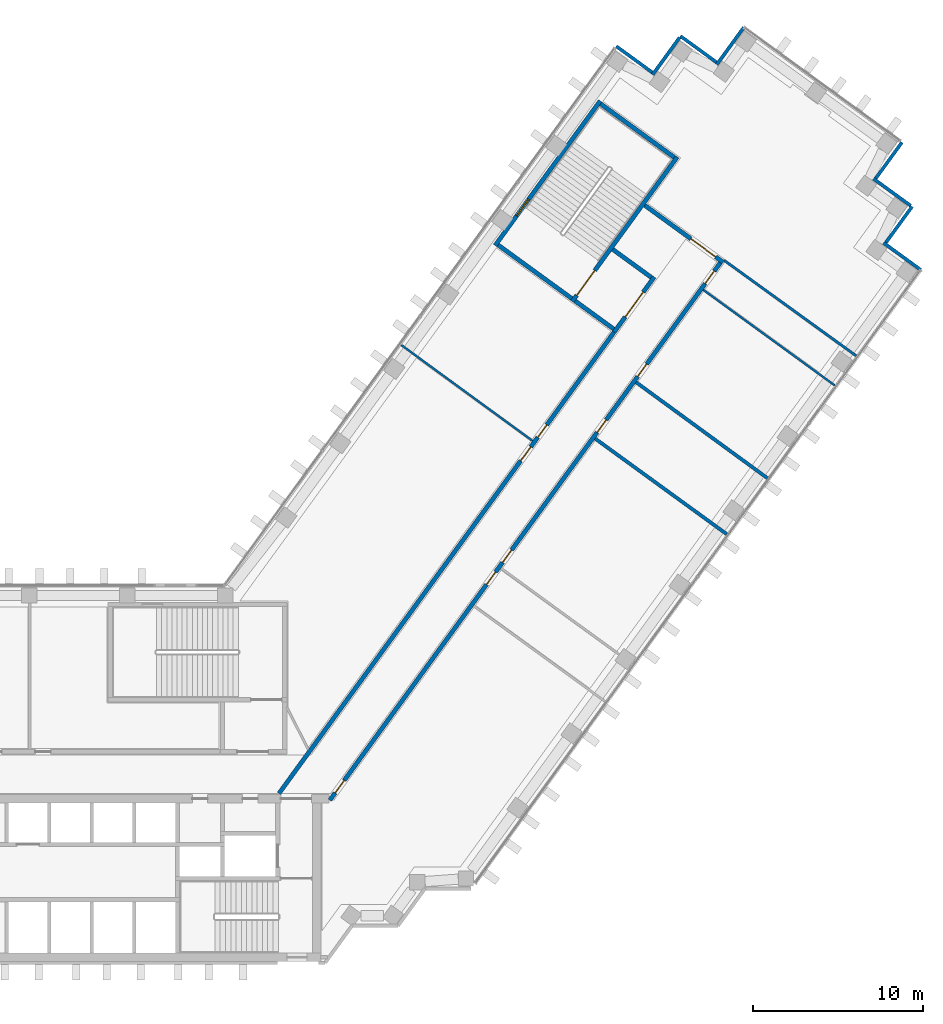
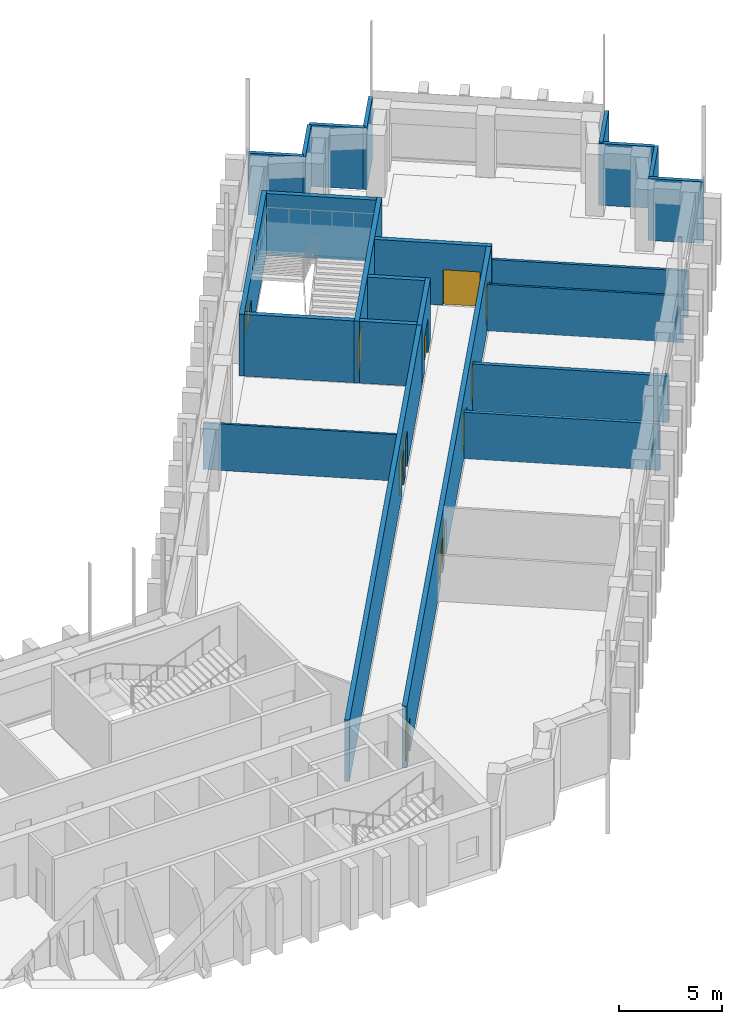
# One storey, part 15 of 19: 23 walls, 11 doors, 1 window, 12 openings.
"""IFC4 building model written with IfcOpenShell, lengths in metres."""

import ifcopenshell
import ifcopenshell.guid

model = None  # the IFC model being written
_history = None  # IfcOwnerHistory: only IFC2X3 demands one
_inside = {}  # id of a spatial element -> (the spatial element, [elements in it])
_under = {}  # id of a project, library or spatial element -> (it, [spatial elements below it])
_declared = {}  # id of a project -> (the project, [libraries it declares])
_typed = {}  # id of a type object -> (the type object, [elements of that type])
_made_of = {}  # id of a material, layer set ... -> (it, [elements and type objects made of it])


def new_model(schema):
    """Start an empty IFC model of exactly this schema.

    Asked for "IFC4X3", IfcOpenShell would pick the latest addendum, in which some entities
    have other attributes; the version numbers below select the first issue.
    IFC2X3 requires an IfcOwnerHistory on every rooted entity: one is made here for all.
    """
    global model, _history
    if schema == "IFC4X3":
        model = ifcopenshell.file(schema_version=(4, 3, 0, 0))
    else:
        model = ifcopenshell.file(schema=schema)
    _inside.clear()
    _under.clear()
    _declared.clear()
    _typed.clear()
    _made_of.clear()
    _history = None
    if model.schema == "IFC2X3":
        org = make("IfcOrganization", Name="unknown")
        user = make(
            "IfcPersonAndOrganization",
            ThePerson=make("IfcPerson", FamilyName="unknown"),
            TheOrganization=org,
        )
        app = make(
            "IfcApplication",
            ApplicationDeveloper=org,
            Version="unknown",
            ApplicationFullName="unknown",
            ApplicationIdentifier="unknown",
        )
        _history = make(
            "IfcOwnerHistory",
            OwningUser=user,
            OwningApplication=app,
            ChangeAction="ADDED",
            CreationDate=0,
        )
    return model


def make(cls, **values):
    """One entity of the class cls with the attributes given. An attribute that is None is left unset."""
    return model.create_entity(
        cls, **{name: value for name, value in values.items() if value is not None}
    )


def rooted(cls, **values):
    """An entity with a GlobalId (a new one), such as an element, a storey or a relation."""
    return make(cls, GlobalId=ifcopenshell.guid.new(), OwnerHistory=_history, **values)


def si_unit(unit_type, name, prefix=None):
    """IfcSIUnit, for example si_unit("LENGTHUNIT", "METRE", prefix="MILLI")."""
    return make("IfcSIUnit", UnitType=unit_type, Prefix=prefix, Name=name)


def assignment(units):
    """IfcUnitAssignment: the units of a project."""
    return None if units is None else make("IfcUnitAssignment", Units=units)


def point(xyz):
    """IfcCartesianPoint."""
    return None if xyz is None else make("IfcCartesianPoint", Coordinates=xyz)


def direction(xyz):
    """IfcDirection."""
    return None if xyz is None else make("IfcDirection", DirectionRatios=xyz)


def frame(location, z_axis=None, x_axis=None):
    """IfcAxis2Placement3D, a coordinate frame: its origin and axes. An axis left out is left unset."""
    return make(
        "IfcAxis2Placement3D",
        Location=point(location),
        Axis=direction(z_axis),
        RefDirection=direction(x_axis),
    )


def frame_2d(location, x_axis=None):
    """IfcAxis2Placement2D, a coordinate frame in the plane: its origin and x axis."""
    return make(
        "IfcAxis2Placement2D", Location=point(location), RefDirection=direction(x_axis)
    )


def origin():
    """The frame at (0, 0, 0) with its axes left unset."""
    return frame((0.0, 0.0, 0.0))


def place(relative_to, where):
    """IfcLocalPlacement: puts the frame where relative to a parent placement (None: the world)."""
    return make(
        "IfcLocalPlacement", PlacementRelTo=relative_to, RelativePlacement=where
    )


def context(
    kind, dimensions, precision=None, world=None, true_north=None, identifier=None
):
    """IfcGeometricRepresentationContext, for example the 3D "Model" context."""
    return make(
        "IfcGeometricRepresentationContext",
        ContextIdentifier=identifier,
        ContextType=kind,
        CoordinateSpaceDimension=dimensions,
        Precision=precision,
        WorldCoordinateSystem=world,
        TrueNorth=true_north,
    )


def subcontext(parent, identifier, kind, view, scale=None):
    """IfcGeometricRepresentationSubContext, for example "Body" below "Model"."""
    return make(
        "IfcGeometricRepresentationSubContext",
        ContextIdentifier=identifier,
        ContextType=kind,
        ParentContext=parent,
        TargetScale=scale,
        TargetView=view,
    )


def project(units=None, contexts=None):
    """IfcProject with its units and contexts."""
    return rooted(
        "IfcProject",
        Name="project",
        RepresentationContexts=contexts,
        UnitsInContext=assignment(units),
    )


def spatial(cls, under=None, at=None, **own):
    """A site, building, storey or space (cls), placed at a placement, below another one or the project."""
    s = rooted(cls, ObjectPlacement=at, **own)
    if under is not None:
        _under.setdefault(under.id(), (under, []))[1].append(s)
    return s


def profile(cls, at=None, kind="AREA", **sizes):
    """A parametric profile (cls). Its sizes go by their IFC names, for example OverallWidth=200.0."""
    return make(cls, ProfileType=kind, Position=at, **sizes)


def rectangle(**sizes):
    """IfcRectangleProfileDef."""
    return profile("IfcRectangleProfileDef", **sizes)


def extrude(swept, where, along, depth):
    """IfcExtrudedAreaSolid: the profile swept, set in the frame where, extruded along a direction by depth."""
    return make(
        "IfcExtrudedAreaSolid",
        SweptArea=swept,
        Position=where,
        ExtrudedDirection=direction(along),
        Depth=depth,
    )


def shape(context_of_items, identifier, shape_type, items):
    """IfcShapeRepresentation: the items that make up one representation, for example the "Body"."""
    return make(
        "IfcShapeRepresentation",
        ContextOfItems=context_of_items,
        RepresentationIdentifier=identifier,
        RepresentationType=shape_type,
        Items=items,
    )


def material(Name=None, Category=None):
    """IfcMaterial."""
    return make("IfcMaterial", Name=Name, Category=Category)


def layer(
    of_material, thickness, ventilated=None, Name=None, Category=None, Priority=None
):
    """IfcMaterialLayer: one layer of a wall or slab, of a material (None: an air gap)."""
    return make(
        "IfcMaterialLayer",
        Material=of_material,
        LayerThickness=thickness,
        IsVentilated=ventilated,
        Name=Name,
        Category=Category,
        Priority=Priority,
    )


def layer_set(layers, Name=None):
    """IfcMaterialLayerSet."""
    return make("IfcMaterialLayerSet", MaterialLayers=layers, LayerSetName=Name)


def made_of(thing, what):
    """Note that an element or type object is made of a material, layer set ...; save() writes the relation."""
    if what is not None:
        _made_of.setdefault(what.id(), (what, []))[1].append(thing)
    return thing


def type_object(cls, material=None, **own):
    """A type object (cls), such as IfcWallType, which elements share."""
    return made_of(rooted(cls, **own), material)


def element(
    cls,
    number,
    at=None,
    inside=None,
    cuts=None,
    type_object=None,
    material=None,
    context=None,
    identifier="Body",
    shape_type=None,
    held_by="IfcProductDefinitionShape",
    body=None,
    shapes=None,
    **own,
):
    """One element of the class cls, such as IfcWall. Its Tag is "e" and its number.

    at: its placement. inside: the storey or other place that contains it. cuts: it is an
    opening in that element (IfcRelVoidsElement). A single representation is given by context,
    identifier, shape_type and body (its items); several are given by shapes. held_by: the class
    of the entity that holds the representations. save() writes the other relations.
    """
    e = rooted(cls, Tag="e%d" % number, ObjectPlacement=at, **own)
    if body is not None:
        shapes = [shape(context, identifier, shape_type, body)]
    if shapes is not None:
        e.Representation = make(held_by, Representations=shapes)
    if inside is not None:
        _inside.setdefault(inside.id(), (inside, []))[1].append(e)
    if cuts is not None:
        rooted(
            "IfcRelVoidsElement", RelatingBuildingElement=cuts, RelatedOpeningElement=e
        )
    if type_object is not None:
        _typed.setdefault(type_object.id(), (type_object, []))[1].append(e)
    return made_of(e, material)


def fill(opening, filler):
    """IfcRelFillsElement: the door or window that sits in an opening."""
    return rooted(
        "IfcRelFillsElement",
        RelatingOpeningElement=opening,
        RelatedBuildingElement=filler,
    )


def aggregate(whole, parts):
    """IfcRelAggregates: a whole, such as a stair, and the parts it consists of."""
    return rooted("IfcRelAggregates", RelatingObject=whole, RelatedObjects=parts)


def save(model, path):
    """Write the relations noted so far, then the file.

    IfcRelAggregates (storeys below a building ...), IfcRelContainedInSpatialStructure (elements
    in a storey), IfcRelDefinesByType, IfcRelAssociatesMaterial and IfcRelDeclares: one each for
    every whole, place, type object, material and project.
    """
    for whole, parts in _under.values():
        aggregate(whole, parts)
    for where, things in _inside.values():
        rooted(
            "IfcRelContainedInSpatialStructure",
            RelatedElements=things,
            RelatingStructure=where,
        )
    for kind, things in _typed.values():
        rooted("IfcRelDefinesByType", RelatedObjects=things, RelatingType=kind)
    for what, things in _made_of.values():
        rooted("IfcRelAssociatesMaterial", RelatedObjects=things, RelatingMaterial=what)
    for by, libraries in _declared.values():
        rooted("IfcRelDeclares", RelatingContext=by, RelatedDefinitions=libraries)
    model.write(path)


model = new_model("IFC4")

# Units and contexts
model_context = context("Model", 3, precision=1e-05, world=origin(), true_north=direction((0.0, 1.0)))
body_context = subcontext(model_context, "Body", "Model", "MODEL_VIEW")
ifc_project = project(units=[si_unit("LENGTHUNIT", "METRE"), si_unit("AREAUNIT", "SQUARE_METRE"), si_unit("VOLUMEUNIT", "CUBIC_METRE"), si_unit("PLANEANGLEUNIT", "RADIAN"), si_unit("MASSUNIT", "GRAM", prefix="KILO")], contexts=[model_context])

# Site, building, storey
site_placement = place(None, origin())
site = spatial("IfcSite", under=ifc_project, at=site_placement, CompositionType="ELEMENT")
building_placement = place(site_placement, origin())
building = spatial("IfcBuilding", under=site, at=building_placement, Name="Quipu Civic Tower", CompositionType="ELEMENT")
storey_placement = place(building_placement, frame((0.0, 0.0, 35.0)))
storey = spatial("IfcBuildingStorey", under=building, at=storey_placement, Name="L07", CompositionType="ELEMENT", Elevation=35.0)

# Walls
ifc_material_1 = material(Name="Double gypsum plasterboard with mineral wool")
ifc_layer_1 = layer(ifc_material_1, 0.14990234375)
ifc_layer_set_1 = layer_set([ifc_layer_1], Name="Double gypsum plasterboard with mineral wool")
wall_type_1 = type_object("IfcWallType", Name="Acoustic partition 150 plasterboard", PredefinedType="PARTITIONING", material=ifc_layer_set_1)
wall_1_placement = place(storey_placement, frame((43.698486328125, 30.185302734375, 0.0), z_axis=(0.0, 0.0, 1.0), x_axis=(0.810419489461, -0.58585002441, 0.0)))
element("IfcWall", 1, at=wall_1_placement, inside=storey, type_object=wall_type_1, Name="Partition P13", PredefinedType="PARTITIONING", context=body_context, shape_type="SweptSolid", body=[
    extrude(rectangle(XDim=9.570068359375, YDim=0.14990234375, at=frame_2d((4.78515625, 0.0))), origin(), (0.0, 0.0, 1.0), 2.75),
])
ifc_material_2 = material(Name="Fired clay blockwork", Category="masonry")
ifc_layer_2 = layer(ifc_material_2, 0.199951171875)
ifc_layer_set_2 = layer_set([ifc_layer_2], Name="Fired clay blockwork")
wall_type_2 = type_object("IfcWallType", Name="Blockwork wall 200", PredefinedType="SOLIDWALL", material=ifc_layer_set_2)
for number, where, z_axis, x_axis, name in (
    (2, (43.84423828125, 14.1044921875, 0.0), (0.0, 0.0, 1.0), (-0.809102944047, 0.587666934526, 0.0), "Partition P03"),
    (3, (38.521728515625, 23.026123046875, 0.0), (0.0, 0.0, 1.0), (0.807606997933, -0.589721067023, 0.0), "Partition P05"),
):
    element("IfcWall", number, at=place(storey_placement, frame(where, z_axis=z_axis, x_axis=x_axis)), inside=storey, type_object=wall_type_2, Name=name, PredefinedType="SOLIDWALL", context=body_context, shape_type="SweptSolid", body=[
        extrude(rectangle(XDim=9.550048828125, YDim=0.199951171875, at=frame_2d((4.77490234375, 0.0))), origin(), (0.0, 0.0, 1.0), 2.75),
    ])

# Wall, opening, door
ifc_material_3 = material(Name="Concrete C70/85", Category="concrete")
ifc_layer_3 = layer(ifc_material_3, 0.25)
ifc_layer_set_3 = layer_set([ifc_layer_3], Name="Concrete C70/85")
wall_type_3 = type_object("IfcWallType", Name="Core wall 250", PredefinedType="SHEAR", material=ifc_layer_set_3)
wall_2_placement = place(storey_placement, frame((37.237548828125, 25.979736328125, 0.0), z_axis=(0.0, 0.0, 1.0), x_axis=(0.587772420479, 0.809026317077, 0.0)))
wall_2 = element("IfcWall", 4, at=wall_2_placement, inside=storey, type_object=wall_type_3, Name="Core wall", PredefinedType="SHEAR", context=body_context, shape_type="SweptSolid", body=[
    extrude(rectangle(XDim=4.0, YDim=0.25, at=frame_2d((2.0, 0.0))), origin(), (0.0, 0.0, 1.0), 3.64990234375),
])
opening_1_placement = place(wall_2_placement, frame((1.10009765625, 0.0, 0.0)))
opening_1 = element("IfcOpeningElement", 5, at=opening_1_placement, cuts=wall_2, Name="Opening CD-21", PredefinedType="OPENING", context=body_context, shape_type="SweptSolid", body=[
    extrude(rectangle(XDim=1.800048828125, YDim=2.10009765625, at=frame_2d((0.89990234375, 1.050048828125))), frame((0.0, 0.135009765625, 0.0), z_axis=(0.0, -1.0, 0.0), x_axis=(1.0, 0.0, 0.0)), (0.0, 0.0, 1.0), 0.27001953125),
])
ifc_material_4 = material(Name="Fire rated steel door", Category="steel")
door_type_1 = type_object("IfcDoorType", Name="Fire door FD90 double 1800 x 2100", OperationType="NOTDEFINED", PredefinedType="DOOR", material=ifc_material_4)
door_1_placement = place(opening_1_placement, origin())
door_1 = element("IfcDoor", 6, at=door_1_placement, inside=storey, type_object=door_type_1, Name="Lobby door", OperationType="DOUBLE_DOOR_SINGLE_SWING", OverallHeight=2.10009765625, OverallWidth=1.800048828125, PredefinedType="DOOR", context=body_context, shape_type="SweptSolid", body=[
    extrude(rectangle(XDim=1.800048828125, YDim=2.10009765625, at=frame_2d((0.89990234375, 1.050048828125))), frame((0.0, 0.02490234375, 0.0), z_axis=(0.0, -1.0, 0.0), x_axis=(1.0, 0.0, 0.0)), (0.0, 0.0, 1.0), 0.050048828125),
])
fill(opening_1, door_1)

# Walls
for number, where, z_axis, x_axis, name in (
    (7, (37.2099609375, 26.154296875, 0.0), (0.0, 0.0, 1.0), (-0.809041377956, 0.587751689708, 0.0), "Core wall"),
    (8, (39.4140625, 29.18798828125, 0.0), (0.0, 0.0, 1.0), (-0.808969789945, 0.58785021813, 0.0), "Core wall"),
):
    element("IfcWall", number, at=place(storey_placement, frame(where, z_axis=z_axis, x_axis=x_axis)), inside=storey, type_object=wall_type_3, Name=name, PredefinedType="SHEAR", context=body_context, shape_type="SweptSolid", body=[
        extrude(rectangle(XDim=2.800048828125, YDim=0.25, at=frame_2d((1.39990234375, 0.0))), origin(), (0.0, 0.0, 1.0), 3.64990234375),
    ])

# Wall, opening, door
wall_3_placement = place(storey_placement, frame((34.77001953125, 27.7724609375, 0.0), z_axis=(0.0, 0.0, 1.0), x_axis=(0.587795589702, 0.809009483706, 0.0)))
wall_3 = element("IfcWall", 9, at=wall_3_placement, inside=storey, type_object=wall_type_3, Name="Core wall", PredefinedType="SHEAR", context=body_context, shape_type="SweptSolid", body=[
    extrude(rectangle(XDim=10.5, YDim=0.25, at=frame_2d((5.25, 0.0))), origin(), (0.0, 0.0, 1.0), 3.64990234375),
])
opening_2_placement = place(wall_3_placement, frame((0.449951171875, 0.0, 0.0)))
opening_2 = element("IfcOpeningElement", 10, at=opening_2_placement, cuts=wall_3, Name="Opening CD-22", PredefinedType="OPENING", context=body_context, shape_type="SweptSolid", body=[
    extrude(rectangle(XDim=1.800048828125, YDim=2.10009765625, at=frame_2d((0.89990234375, 1.050048828125))), frame((0.0, 0.135009765625, 0.0), z_axis=(0.0, -1.0, 0.0), x_axis=(1.0, 0.0, 0.0)), (0.0, 0.0, 1.0), 0.27001953125),
])
door_2_placement = place(opening_2_placement, origin())
door_2 = element("IfcDoor", 11, at=door_2_placement, inside=storey, type_object=door_type_1, Name="Door", OperationType="DOUBLE_DOOR_SINGLE_SWING", OverallHeight=2.10009765625, OverallWidth=1.800048828125, PredefinedType="DOOR", context=body_context, shape_type="SweptSolid", body=[
    extrude(rectangle(XDim=1.800048828125, YDim=2.10009765625, at=frame_2d((0.89990234375, 1.050048828125))), frame((0.0, 0.02490234375, 0.0), z_axis=(0.0, -1.0, 0.0), x_axis=(1.0, 0.0, 0.0)), (0.0, 0.0, 1.0), 0.050048828125),
])
fill(opening_2, door_2)

# Walls
wall_4_placement = place(storey_placement, frame((34.742431640625, 27.947021484375, 0.0), z_axis=(0.0, 0.0, 1.0), x_axis=(-0.8089984606, 0.587810760999, 0.0)))
element("IfcWall", 12, at=wall_4_placement, inside=storey, type_object=wall_type_3, Name="Core wall", PredefinedType="SHEAR", context=body_context, shape_type="SweptSolid", body=[
    extrude(rectangle(XDim=5.35009765625, YDim=0.25, at=frame_2d((2.675048828125, 0.0))), origin(), (0.0, 0.0, 1.0), 3.64990234375),
])
wall_5_placement = place(storey_placement, frame((40.76708984375, 36.239501953125, 0.0), z_axis=(0.0, 0.0, 1.0), x_axis=(-0.809020161303, 0.587780893365, 0.0)))
element("IfcWall", 13, at=wall_5_placement, inside=storey, type_object=wall_type_3, Name="Core wall", PredefinedType="SHEAR", context=body_context, shape_type="SweptSolid", body=[
    extrude(rectangle(XDim=5.349853515625, YDim=0.25, at=frame_2d((2.6748046875, 0.0))), origin(), (0.0, 0.0, 1.0), 3.64990234375),
])

# Wall, opening, window
wall_6_placement = place(storey_placement, frame((30.239501953125, 31.06396484375, 0.0), z_axis=(0.0, 0.0, 1.0), x_axis=(0.587795589702, 0.809009483706, 0.0)))
wall_6 = element("IfcWall", 14, at=wall_6_placement, inside=storey, type_object=wall_type_3, Name="Core wall", PredefinedType="SHEAR", context=body_context, shape_type="SweptSolid", body=[
    extrude(rectangle(XDim=10.5, YDim=0.25, at=frame_2d((5.25, 0.0))), origin(), (0.0, 0.0, 1.0), 3.64990234375),
])
opening_3_placement = place(wall_6_placement, frame((2.14990234375, 0.0, 1.0)))
opening_3 = element("IfcOpeningElement", 15, at=opening_3_placement, cuts=wall_6, Name="Opening SV-7", PredefinedType="OPENING", context=body_context, shape_type="SweptSolid", body=[
    extrude(rectangle(XDim=1.199951171875, YDim=1.199951171875, at=frame_2d((0.60009765625, 0.60009765625))), frame((0.0, 0.135009765625, 0.0), z_axis=(0.0, -1.0, 0.0), x_axis=(1.0, 0.0, 0.0)), (0.0, 0.0, 1.0), 0.27001953125),
])
ifc_material_5 = material(Name="Aluminium louvre", Category="aluminium")
window_type = type_object("IfcWindowType", Name="Stair ventilation louvre 1200 x 1200", PartitioningType="SINGLE_PANEL", PredefinedType="WINDOW", material=ifc_material_5)
window_placement = place(opening_3_placement, origin())
window = element("IfcWindow", 16, at=window_placement, inside=storey, type_object=window_type, Name="Stair ventilation opening", OverallHeight=1.199951171875, OverallWidth=1.199951171875, PartitioningType="SINGLE_PANEL", PredefinedType="WINDOW", context=body_context, shape_type="SweptSolid", body=[
    extrude(rectangle(XDim=1.199951171875, YDim=1.199951171875, at=frame_2d((0.60009765625, 0.60009765625))), frame((0.0, 0.030029296875, 0.0), z_axis=(0.0, -1.0, 0.0), x_axis=(1.0, 0.0, 0.0)), (0.0, 0.0, 1.0), 0.06005859375),
])
fill(opening_3, window)

# Wall, openings, doors
ifc_material_6 = material(Name="Concrete C50/60", Category="concrete")
ifc_layer_4 = layer(ifc_material_6, 0.25)
ifc_layer_set_4 = layer_set([ifc_layer_4], Name="Concrete C50/60")
wall_type_4 = type_object("IfcWallType", Name="Corridor wall 250 concrete", PredefinedType="SOLIDWALL", material=ifc_layer_set_4)
wall_7_placement = place(storey_placement, frame((17.544921875, -1.124755859375, 0.0), z_axis=(0.0, 0.0, 1.0), x_axis=(0.587786323093, 0.809016216391, 0.0)))
wall_7 = element("IfcWall", 17, at=wall_7_placement, inside=storey, type_object=wall_type_4, Name="Corridor wall C06", PredefinedType="SOLIDWALL", context=body_context, shape_type="SweptSolid", body=[
    extrude(rectangle(XDim=33.4931640625, YDim=0.25, at=frame_2d((16.74658203125, 0.0))), origin(), (0.0, 0.0, 1.0), 3.64990234375),
])
opening_4_placement = place(wall_7_placement, frame((25.857421875, 0.0, 0.0)))
opening_4 = element("IfcOpeningElement", 18, at=opening_4_placement, cuts=wall_7, Name="Opening D002", PredefinedType="OPENING", context=body_context, shape_type="SweptSolid", body=[
    extrude(rectangle(XDim=0.89990234375, YDim=2.10009765625, at=frame_2d((0.449951171875, 1.050048828125))), frame((0.0, 0.135009765625, 0.0), z_axis=(0.0, -1.0, 0.0), x_axis=(1.0, 0.0, 0.0)), (0.0, 0.0, 1.0), 0.27001953125),
])
opening_5_placement = place(wall_7_placement, frame((24.1572265625, 0.0, 0.0)))
opening_5 = element("IfcOpeningElement", 19, at=opening_5_placement, cuts=wall_7, Name="Opening D001", PredefinedType="OPENING", context=body_context, shape_type="SweptSolid", body=[
    extrude(rectangle(XDim=1.0, YDim=2.10009765625, at=frame_2d((0.5, 1.050048828125))), frame((0.0, 0.135009765625, 0.0), z_axis=(0.0, -1.0, 0.0), x_axis=(1.0, 0.0, 0.0)), (0.0, 0.0, 1.0), 0.27001953125),
])
ifc_material_7 = material(Name="Fire rated timber door set with metal frame", Category="wood")
door_type_2 = type_object("IfcDoorType", Name="Single door 1000 x 2100 FD60", OperationType="NOTDEFINED", PredefinedType="DOOR", material=ifc_material_7)
door_3_placement = place(opening_5_placement, origin())
door_3 = element("IfcDoor", 20, at=door_3_placement, inside=storey, type_object=door_type_2, Name="Door D001", OperationType="SINGLE_SWING_RIGHT", OverallHeight=2.10009765625, OverallWidth=1.0, PredefinedType="DOOR", context=body_context, shape_type="SweptSolid", body=[
    extrude(rectangle(XDim=1.0, YDim=2.10009765625, at=frame_2d((0.5, 1.050048828125))), frame((0.0, 0.02490234375, 0.0), z_axis=(0.0, -1.0, 0.0), x_axis=(1.0, 0.0, 0.0)), (0.0, 0.0, 1.0), 0.050048828125),
])
fill(opening_5, door_3)
ifc_material_8 = material(Name="Fire rated timber door set with metal frame", Category="wood")
door_type_3 = type_object("IfcDoorType", Name="Single door 900 x 2100 FD60", OperationType="NOTDEFINED", PredefinedType="DOOR", material=ifc_material_8)
door_4_placement = place(opening_4_placement, origin())
door_4 = element("IfcDoor", 21, at=door_4_placement, inside=storey, type_object=door_type_3, Name="Door D002", OperationType="SINGLE_SWING_LEFT", OverallHeight=2.10009765625, OverallWidth=0.89990234375, PredefinedType="DOOR", context=body_context, shape_type="SweptSolid", body=[
    extrude(rectangle(XDim=0.89990234375, YDim=2.10009765625, at=frame_2d((0.449951171875, 1.050048828125))), frame((0.0, 0.02490234375, 0.0), z_axis=(0.0, -1.0, 0.0), x_axis=(1.0, 0.0, 0.0)), (0.0, 0.0, 1.0), 0.050048828125),
])
fill(opening_4, door_4)

# Wall, opening, door
wall_8_placement = place(storey_placement, frame((39.03369140625, 33.419921875, 0.0), z_axis=(0.0, 0.0, 1.0), x_axis=(0.809023325802, -0.587776537732, 0.0)))
wall_8 = element("IfcWall", 22, at=wall_8_placement, inside=storey, type_object=wall_type_4, Name="Corridor wall C07", PredefinedType="SOLIDWALL", context=body_context, shape_type="SweptSolid", body=[
    extrude(rectangle(XDim=5.695068359375, YDim=0.25, at=frame_2d((2.84765625, 0.0))), origin(), (0.0, 0.0, 1.0), 3.64990234375),
])
opening_6_placement = place(wall_8_placement, frame((3.34521484375, 0.0, 0.0)))
opening_6 = element("IfcOpeningElement", 23, at=opening_6_placement, cuts=wall_8, Name="Opening D009", PredefinedType="OPENING", context=body_context, shape_type="SweptSolid", body=[
    extrude(rectangle(XDim=1.800048828125, YDim=2.10009765625, at=frame_2d((0.89990234375, 1.050048828125))), frame((0.0, 0.135009765625, 0.0), z_axis=(0.0, -1.0, 0.0), x_axis=(1.0, 0.0, 0.0)), (0.0, 0.0, 1.0), 0.27001953125),
])
ifc_material_9 = material(Name="Fire rated timber door set with metal frame", Category="wood")
door_type_4 = type_object("IfcDoorType", Name="Double door 1800 x 2100 FD60", OperationType="DOUBLE_DOOR_SINGLE_SWING", PredefinedType="DOOR", material=ifc_material_9)
door_5_placement = place(opening_6_placement, origin())
door_5 = element("IfcDoor", 24, at=door_5_placement, inside=storey, type_object=door_type_4, Name="Door D009", OperationType="DOUBLE_DOOR_SINGLE_SWING", OverallHeight=2.10009765625, OverallWidth=1.800048828125, PredefinedType="DOOR", context=body_context, shape_type="SweptSolid", body=[
    extrude(rectangle(XDim=1.800048828125, YDim=2.10009765625, at=frame_2d((0.89990234375, 1.050048828125))), frame((0.0, 0.02490234375, 0.0), z_axis=(0.0, -1.0, 0.0), x_axis=(1.0, 0.0, 0.0)), (0.0, 0.0, 1.0), 0.050048828125),
])
fill(opening_6, door_5)

# Wall, openings, doors
wall_9_placement = place(storey_placement, frame((43.466552734375, 30.044677734375, 0.0), z_axis=(0.0, 0.0, 1.0), x_axis=(-0.587784726077, -0.809017376692, 0.0)))
wall_9 = element("IfcWall", 25, at=wall_9_placement, inside=storey, type_object=wall_type_4, Name="Corridor wall C08", PredefinedType="SOLIDWALL", context=body_context, shape_type="SweptSolid", body=[
    extrude(rectangle(XDim=39.020263671875, YDim=0.25, at=frame_2d((19.51025390625, 0.0))), origin(), (0.0, 0.0, 1.0), 3.64990234375),
])
opening_7_placement = place(wall_9_placement, frame((37.587646484375, 0.0, 0.0)))
opening_7 = element("IfcOpeningElement", 26, at=opening_7_placement, cuts=wall_9, Name="Opening D003", PredefinedType="OPENING", context=body_context, shape_type="SweptSolid", body=[
    extrude(rectangle(XDim=0.89990234375, YDim=2.10009765625, at=frame_2d((0.449951171875, 1.050048828125))), frame((0.0, 0.135009765625, 0.0), z_axis=(0.0, -1.0, 0.0), x_axis=(1.0, 0.0, 0.0)), (0.0, 0.0, 1.0), 0.27001953125),
])
opening_8_placement = place(wall_9_placement, frame((20.85498046875, 0.0, 0.0)))
opening_8 = element("IfcOpeningElement", 27, at=opening_8_placement, cuts=wall_9, Name="Opening D005", PredefinedType="OPENING", context=body_context, shape_type="SweptSolid", body=[
    extrude(rectangle(XDim=0.89990234375, YDim=2.10009765625, at=frame_2d((0.449951171875, 1.050048828125))), frame((0.0, 0.135009765625, 0.0), z_axis=(0.0, -1.0, 0.0), x_axis=(1.0, 0.0, 0.0)), (0.0, 0.0, 1.0), 0.27001953125),
])
opening_9_placement = place(wall_9_placement, frame((7.35498046875, 0.0, 0.0)))
opening_9 = element("IfcOpeningElement", 28, at=opening_9_placement, cuts=wall_9, Name="Opening D007", PredefinedType="OPENING", context=body_context, shape_type="SweptSolid", body=[
    extrude(rectangle(XDim=0.89990234375, YDim=2.10009765625, at=frame_2d((0.449951171875, 1.050048828125))), frame((0.0, 0.135009765625, 0.0), z_axis=(0.0, -1.0, 0.0), x_axis=(1.0, 0.0, 0.0)), (0.0, 0.0, 1.0), 0.27001953125),
])
opening_10_placement = place(wall_9_placement, frame((11.404296875, 0.0, 0.0)))
opening_10 = element("IfcOpeningElement", 29, at=opening_10_placement, cuts=wall_9, Name="Opening D006", PredefinedType="OPENING", context=body_context, shape_type="SweptSolid", body=[
    extrude(rectangle(XDim=0.89990234375, YDim=2.10009765625, at=frame_2d((0.449951171875, 1.050048828125))), frame((0.0, 0.135009765625, 0.0), z_axis=(0.0, -1.0, 0.0), x_axis=(1.0, 0.0, 0.0)), (0.0, 0.0, 1.0), 0.27001953125),
])
opening_11_placement = place(wall_9_placement, frame((0.6044921875, 0.0, 0.0)))
opening_11 = element("IfcOpeningElement", 30, at=opening_11_placement, cuts=wall_9, Name="Opening D008", PredefinedType="OPENING", context=body_context, shape_type="SweptSolid", body=[
    extrude(rectangle(XDim=0.89990234375, YDim=2.10009765625, at=frame_2d((0.449951171875, 1.050048828125))), frame((0.0, 0.135009765625, 0.0), z_axis=(0.0, -1.0, 0.0), x_axis=(1.0, 0.0, 0.0)), (0.0, 0.0, 1.0), 0.27001953125),
])
opening_12_placement = place(wall_9_placement, frame((22.45458984375, 0.0, 0.0)))
opening_12 = element("IfcOpeningElement", 31, at=opening_12_placement, cuts=wall_9, Name="Opening D004", PredefinedType="OPENING", context=body_context, shape_type="SweptSolid", body=[
    extrude(rectangle(XDim=0.89990234375, YDim=2.10009765625, at=frame_2d((0.449951171875, 1.050048828125))), frame((0.0, 0.135009765625, 0.0), z_axis=(0.0, -1.0, 0.0), x_axis=(1.0, 0.0, 0.0)), (0.0, 0.0, 1.0), 0.27001953125),
])
door_6_placement = place(opening_7_placement, origin())
door_6 = element("IfcDoor", 32, at=door_6_placement, inside=storey, type_object=door_type_3, Name="Door D003", OperationType="SINGLE_SWING_RIGHT", OverallHeight=2.10009765625, OverallWidth=0.89990234375, PredefinedType="DOOR", context=body_context, shape_type="SweptSolid", body=[
    extrude(rectangle(XDim=0.89990234375, YDim=2.10009765625, at=frame_2d((0.449951171875, 1.050048828125))), frame((0.0, 0.02490234375, 0.0), z_axis=(0.0, -1.0, 0.0), x_axis=(1.0, 0.0, 0.0)), (0.0, 0.0, 1.0), 0.050048828125),
])
fill(opening_7, door_6)
door_7_placement = place(opening_8_placement, origin())
door_7 = element("IfcDoor", 33, at=door_7_placement, inside=storey, type_object=door_type_3, Name="Door D005", OperationType="SINGLE_SWING_RIGHT", OverallHeight=2.10009765625, OverallWidth=0.89990234375, PredefinedType="DOOR", context=body_context, shape_type="SweptSolid", body=[
    extrude(rectangle(XDim=0.89990234375, YDim=2.10009765625, at=frame_2d((0.449951171875, 1.050048828125))), frame((0.0, 0.02490234375, 0.0), z_axis=(0.0, -1.0, 0.0), x_axis=(1.0, 0.0, 0.0)), (0.0, 0.0, 1.0), 0.050048828125),
])
fill(opening_8, door_7)
door_8_placement = place(opening_9_placement, origin())
door_8 = element("IfcDoor", 34, at=door_8_placement, inside=storey, type_object=door_type_3, Name="Door D007", OperationType="SINGLE_SWING_RIGHT", OverallHeight=2.10009765625, OverallWidth=0.89990234375, PredefinedType="DOOR", context=body_context, shape_type="SweptSolid", body=[
    extrude(rectangle(XDim=0.89990234375, YDim=2.10009765625, at=frame_2d((0.449951171875, 1.050048828125))), frame((0.0, 0.02490234375, 0.0), z_axis=(0.0, -1.0, 0.0), x_axis=(1.0, 0.0, 0.0)), (0.0, 0.0, 1.0), 0.050048828125),
])
fill(opening_9, door_8)
door_9_placement = place(opening_10_placement, origin())
door_9 = element("IfcDoor", 35, at=door_9_placement, inside=storey, type_object=door_type_3, Name="Door D006", OperationType="SINGLE_SWING_RIGHT", OverallHeight=2.10009765625, OverallWidth=0.89990234375, PredefinedType="DOOR", context=body_context, shape_type="SweptSolid", body=[
    extrude(rectangle(XDim=0.89990234375, YDim=2.10009765625, at=frame_2d((0.449951171875, 1.050048828125))), frame((0.0, 0.02490234375, 0.0), z_axis=(0.0, -1.0, 0.0), x_axis=(1.0, 0.0, 0.0)), (0.0, 0.0, 1.0), 0.050048828125),
])
fill(opening_10, door_9)
door_10_placement = place(opening_11_placement, origin())
door_10 = element("IfcDoor", 36, at=door_10_placement, inside=storey, type_object=door_type_3, Name="Door D008", OperationType="SINGLE_SWING_RIGHT", OverallHeight=2.10009765625, OverallWidth=0.89990234375, PredefinedType="DOOR", context=body_context, shape_type="SweptSolid", body=[
    extrude(rectangle(XDim=0.89990234375, YDim=2.10009765625, at=frame_2d((0.449951171875, 1.050048828125))), frame((0.0, 0.02490234375, 0.0), z_axis=(0.0, -1.0, 0.0), x_axis=(1.0, 0.0, 0.0)), (0.0, 0.0, 1.0), 0.050048828125),
])
fill(opening_11, door_10)
door_11_placement = place(opening_12_placement, origin())
door_11 = element("IfcDoor", 37, at=door_11_placement, inside=storey, type_object=door_type_3, Name="Door D004", OperationType="SINGLE_SWING_LEFT", OverallHeight=2.10009765625, OverallWidth=0.89990234375, PredefinedType="DOOR", context=body_context, shape_type="SweptSolid", body=[
    extrude(rectangle(XDim=0.89990234375, YDim=2.10009765625, at=frame_2d((0.449951171875, 1.050048828125))), frame((0.0, 0.02490234375, 0.0), z_axis=(0.0, -1.0, 0.0), x_axis=(1.0, 0.0, 0.0)), (0.0, 0.0, 1.0), 0.050048828125),
])
fill(opening_12, door_11)

# Walls
ifc_material_10 = material(Name="Gypsum plasterboard on light gauge framing")
ifc_layer_5 = layer(ifc_material_10, 0.1201171875)
ifc_layer_set_5 = layer_set([ifc_layer_5], Name="Gypsum plasterboard on light gauge framing")
wall_type_5 = type_object("IfcWallType", Name="Partition 120 plasterboard", PredefinedType="PARTITIONING", material=ifc_layer_set_5)
wall_10_placement = place(storey_placement, frame((24.724365234375, 25.216796875, 0.0), z_axis=(0.0, 0.0, 1.0), x_axis=(0.807606997933, -0.589721067023, 0.0)))
element("IfcWall", 38, at=wall_10_placement, inside=storey, type_object=wall_type_5, Name="Partition P01", PredefinedType="PARTITIONING", context=body_context, shape_type="SweptSolid", body=[
    extrude(rectangle(XDim=9.550048828125, YDim=0.1201171875, at=frame_2d((4.77490234375, 0.0))), origin(), (0.0, 0.0, 1.0), 2.75),
])
wall_11_placement = place(storey_placement, frame((50.19189453125, 22.84130859375, 0.0), z_axis=(0.0, 0.0, 1.0), x_axis=(-0.809033337127, 0.587762757767, 0.0)))
element("IfcWall", 39, at=wall_11_placement, inside=storey, type_object=wall_type_5, Name="Partition P06", PredefinedType="PARTITIONING", context=body_context, shape_type="SweptSolid", body=[
    extrude(rectangle(XDim=9.55078125, YDim=0.1201171875, at=frame_2d((4.775390625, 0.0))), origin(), (0.0, 0.0, 1.0), 2.75),
])
ifc_material_11 = material(Name="Precast concrete C40/50", Category="concrete")
wall_type_6 = type_object("IfcWallType", Name="Precast cladding wall", PredefinedType="SOLIDWALL", material=ifc_material_11)
wall_12_placement = place(storey_placement, frame((55.2470703125, 29.62890625, 0.0), z_axis=(0.0, 0.0, 1.0), x_axis=(-0.809033161865, 0.587762999008, 0.0)))
element("IfcWall", 40, at=wall_12_placement, inside=storey, type_object=wall_type_6, Name="Precast cladding wall L07 P14", PredefinedType="SOLIDWALL", context=body_context, shape_type="SweptSolid", body=[
    extrude(rectangle(XDim=2.699951171875, YDim=0.199951171875, at=frame_2d((1.35009765625, 0.0))), origin(), (0.0, 0.0, 1.0), 3.64990234375),
])
wall_13_placement = place(storey_placement, frame((53.150634765625, 31.166748046875, 0.0), z_axis=(0.0, 0.0, 1.0), x_axis=(0.587779184282, 0.809021403008, 0.0)))
element("IfcWall", 41, at=wall_13_placement, inside=storey, type_object=wall_type_6, Name="Precast cladding wall L07 P15", PredefinedType="SOLIDWALL", context=body_context, shape_type="SweptSolid", body=[
    extrude(rectangle(XDim=2.7001953125, YDim=0.199951171875, at=frame_2d((1.35009765625, 0.0))), origin(), (0.0, 0.0, 1.0), 3.64990234375),
])
for number, where, z_axis, x_axis, name in (
    (42, (54.649658203125, 33.400390625, 0.0), (0.0, 0.0, 1.0), (-0.809033161865, 0.587762999008, 0.0), "Precast cladding wall L07 P16"),
    (43, (52.55322265625, 34.938232421875, 0.0), (0.0, 0.0, 1.0), (0.587822180636, 0.808990163075, 0.0), "Precast cladding wall L07 P17"),
    (44, (44.846435546875, 43.875, 0.0), (0.0, 0.0, 1.0), (-0.587822180636, -0.808990163075, 0.0), "Precast cladding wall L07 P19"),
    (45, (43.308349609375, 41.77880859375, 0.0), (0.0, 0.0, 1.0), (-0.809033161865, 0.587762999008, 0.0), "Precast cladding wall L07 P20"),
):
    element("IfcWall", number, at=place(storey_placement, frame(where, z_axis=z_axis, x_axis=x_axis)), inside=storey, type_object=wall_type_6, Name=name, PredefinedType="SOLIDWALL", context=body_context, shape_type="SweptSolid", body=[
        extrude(rectangle(XDim=2.699951171875, YDim=0.199951171875, at=frame_2d((1.35009765625, 0.0))), origin(), (0.0, 0.0, 1.0), 3.64990234375),
    ])
wall_14_placement = place(storey_placement, frame((41.074951171875, 43.277587890625, 0.0), z_axis=(0.0, 0.0, 1.0), x_axis=(-0.587806000234, -0.809001919707, 0.0)))
element("IfcWall", 46, at=wall_14_placement, inside=storey, type_object=wall_type_6, Name="Precast cladding wall L07 P21", PredefinedType="SOLIDWALL", context=body_context, shape_type="SweptSolid", body=[
    extrude(rectangle(XDim=2.69970703125, YDim=0.199951171875, at=frame_2d((1.349853515625, 0.0))), origin(), (0.0, 0.0, 1.0), 3.64990234375),
])
wall_15_placement = place(storey_placement, frame((39.537109375, 41.181396484375, 0.0), z_axis=(0.0, 0.0, 1.0), x_axis=(-0.809033161865, 0.587762999008, 0.0)))
element("IfcWall", 47, at=wall_15_placement, inside=storey, type_object=wall_type_6, Name="Precast cladding wall L07 P22", PredefinedType="SOLIDWALL", context=body_context, shape_type="SweptSolid", body=[
    extrude(rectangle(XDim=2.699951171875, YDim=0.199951171875, at=frame_2d((1.35009765625, 0.0))), origin(), (0.0, 0.0, 1.0), 3.64990234375),
])

save(model, "model.ifc")
